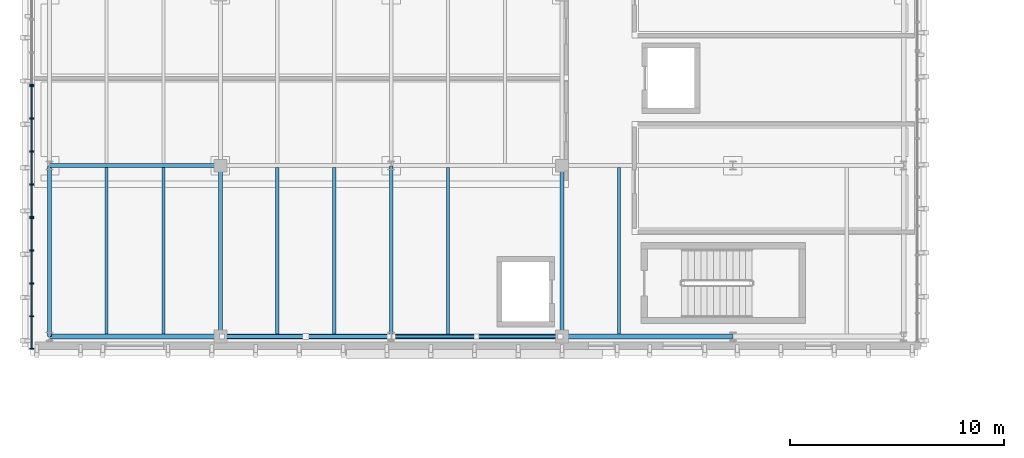
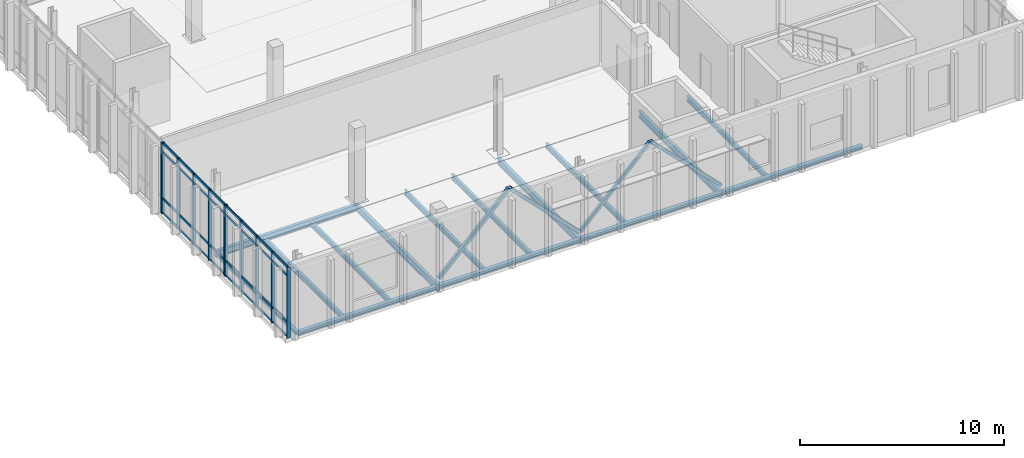
# One storey, part 7 of 62: 47 members, 15 beams, 3 elements without a shape of their own.
"""IFC4 building model written with IfcOpenShell, lengths in metres."""

from ifc_helpers import new_model, si_unit, direction, frame, origin, origin_2d, place, context, subcontext, project, spatial, rectangle, hollow_rectangle, i_section, extrude, material, material_profile, profile_set, type_object, element, aggregate, save


model = new_model("IFC4")

# Units and contexts
model_context = context("Model", 3, precision=1e-05, world=origin(), true_north=direction((0.0, 1.0)))
body_context = subcontext(model_context, "Body", "Model", "MODEL_VIEW")
ifc_project = project(units=[si_unit("LENGTHUNIT", "METRE"), si_unit("AREAUNIT", "SQUARE_METRE"), si_unit("VOLUMEUNIT", "CUBIC_METRE"), si_unit("PLANEANGLEUNIT", "RADIAN"), si_unit("MASSUNIT", "GRAM", prefix="KILO")], contexts=[model_context])

# Site, building, storey
site_placement = place(None, origin())
site = spatial("IfcSite", under=ifc_project, at=site_placement, CompositionType="ELEMENT")
building_placement = place(site_placement, origin())
building = spatial("IfcBuilding", under=site, at=building_placement, Name="Cymarion Research Institute", CompositionType="ELEMENT")
storey_placement = place(building_placement, frame((0.0, 0.0, 18.300048828125)))
storey = spatial("IfcBuildingStorey", under=building, at=storey_placement, Name="L04", CompositionType="ELEMENT", Elevation=18.300048828125)

# Curtain wall, member
ifc_material_1 = material(Name="Anodised aluminium unitised curtain wall with Low-E glazing", Category="aluminium")
curtain_wall_type = type_object("IfcCurtainWallType", Name="UNITISED CURTAIN WALL CW43 6180X4240", PredefinedType="NOTDEFINED", material=ifc_material_1)
curtain_wall_1_placement = place(storey_placement, origin())
curtain_wall_1 = element("IfcCurtainWall", 1, at=curtain_wall_1_placement, inside=storey, type_object=curtain_wall_type, Name="L04 V4 unitised curtain wall CW43 #190", PredefinedType="NOTDEFINED")
ifc_material_2 = material(Name="Anodised aluminium framing", Category="aluminium")
ifc_material_profile_1 = material_profile(ifc_material_2, rectangle(XDim=0.06005859375, YDim=0.179931640625, at=origin_2d()), Name="ALU MULLION 60x180")
ifc_profile_set_1 = profile_set([ifc_material_profile_1], Name="Anodised aluminium framing")
member_type_1 = type_object("IfcMemberType", Name="CURTAIN WALL MULLION ML01 60X180", PredefinedType="MULLION", material=ifc_profile_set_1)
member_1_placement = place(storey_placement, frame((5.77001953125, 59.28125, 0.0), z_axis=(0.0, 0.0, 1.0), x_axis=(0.0, -1.0, 0.0)))
member_1 = element("IfcMember", 2, at=member_1_placement, type_object=member_type_1, Name="CW43 mullion 5", PredefinedType="MULLION", context=body_context, shape_type="SweptSolid", body=[
    extrude(rectangle(XDim=0.06005859375, YDim=0.179931640625, at=origin_2d()), origin(), (0.0, 0.0, 1.0), 4.239990234375),
])
aggregate(curtain_wall_1, [member_1])

# Curtain wall, members
curtain_wall_2_placement = place(storey_placement, origin())
curtain_wall_2 = element("IfcCurtainWall", 3, at=curtain_wall_2_placement, inside=storey, type_object=curtain_wall_type, Name="L04 V4 unitised curtain wall CW43 #191", PredefinedType="NOTDEFINED")
member_2_placement = place(storey_placement, frame((5.77001953125, 59.22119140625, 0.0), z_axis=(0.0, 0.0, 1.0), x_axis=(0.0, -1.0, 0.0)))
member_2 = element("IfcMember", 4, at=member_2_placement, type_object=member_type_1, Name="CW43 mullion 1", PredefinedType="MULLION", context=body_context, shape_type="SweptSolid", body=[
    extrude(rectangle(XDim=0.06005859375, YDim=0.179931640625, at=origin_2d()), origin(), (0.0, 0.0, 1.0), 4.239990234375),
])
member_3_placement = place(storey_placement, frame((5.77001953125, 57.707275390625, 0.0), z_axis=(0.0, 0.0, 1.0), x_axis=(0.0, -1.0, 0.0)))
member_3 = element("IfcMember", 5, at=member_3_placement, type_object=member_type_1, Name="CW43 mullion 2", PredefinedType="MULLION", context=body_context, shape_type="SweptSolid", body=[
    extrude(rectangle(XDim=0.06005859375, YDim=0.179931640625, at=origin_2d()), origin(), (0.0, 0.0, 1.0), 4.239990234375),
])
member_4_placement = place(storey_placement, frame((5.77001953125, 56.163330078125, 0.0), z_axis=(0.0, 0.0, 1.0), x_axis=(0.0, -1.0, 0.0)))
member_4 = element("IfcMember", 6, at=member_4_placement, type_object=member_type_1, Name="CW43 mullion 3", PredefinedType="MULLION", context=body_context, shape_type="SweptSolid", body=[
    extrude(rectangle(XDim=0.06005859375, YDim=0.179931640625, at=origin_2d()), origin(), (0.0, 0.0, 1.0), 4.239990234375),
])
member_5_placement = place(storey_placement, frame((5.77001953125, 54.619384765625, 0.0), z_axis=(0.0, 0.0, 1.0), x_axis=(0.0, -1.0, 0.0)))
member_5 = element("IfcMember", 7, at=member_5_placement, type_object=member_type_1, Name="CW43 mullion 4", PredefinedType="MULLION", context=body_context, shape_type="SweptSolid", body=[
    extrude(rectangle(XDim=0.06005859375, YDim=0.179931640625, at=origin_2d()), origin(), (0.0, 0.0, 1.0), 4.239990234375),
])
member_6_placement = place(storey_placement, frame((5.77001953125, 53.105712890625, 0.0), z_axis=(0.0, 0.0, 1.0), x_axis=(0.0, -1.0, 0.0)))
member_6 = element("IfcMember", 8, at=member_6_placement, type_object=member_type_1, Name="CW43 mullion 5", PredefinedType="MULLION", context=body_context, shape_type="SweptSolid", body=[
    extrude(rectangle(XDim=0.06005859375, YDim=0.179931640625, at=origin_2d()), origin(), (0.0, 0.0, 1.0), 4.239990234375),
])

curtain_wall_3_placement = place(storey_placement, origin())
curtain_wall_3 = element("IfcCurtainWall", 9, at=curtain_wall_3_placement, inside=storey, type_object=curtain_wall_type, Name="L04 V4 unitised curtain wall CW43 #192", PredefinedType="NOTDEFINED")
member_7_placement = place(storey_placement, frame((5.77001953125, 53.045654296875, 0.0), z_axis=(0.0, 0.0, 1.0), x_axis=(0.0, -1.0, 0.0)))
member_7 = element("IfcMember", 10, at=member_7_placement, type_object=member_type_1, Name="CW43 mullion 1", PredefinedType="MULLION", context=body_context, shape_type="SweptSolid", body=[
    extrude(rectangle(XDim=0.06005859375, YDim=0.179931640625, at=origin_2d()), origin(), (0.0, 0.0, 1.0), 4.239990234375),
])
member_8_placement = place(storey_placement, frame((5.77001953125, 51.53173828125, 0.0), z_axis=(0.0, 0.0, 1.0), x_axis=(0.0, -1.0, 0.0)))
member_8 = element("IfcMember", 11, at=member_8_placement, type_object=member_type_1, Name="CW43 mullion 2", PredefinedType="MULLION", context=body_context, shape_type="SweptSolid", body=[
    extrude(rectangle(XDim=0.06005859375, YDim=0.179931640625, at=origin_2d()), origin(), (0.0, 0.0, 1.0), 4.239990234375),
])
member_9_placement = place(storey_placement, frame((5.77001953125, 49.98779296875, 0.0), z_axis=(0.0, 0.0, 1.0), x_axis=(0.0, -1.0, 0.0)))
member_9 = element("IfcMember", 12, at=member_9_placement, type_object=member_type_1, Name="CW43 mullion 3", PredefinedType="MULLION", context=body_context, shape_type="SweptSolid", body=[
    extrude(rectangle(XDim=0.06005859375, YDim=0.179931640625, at=origin_2d()), origin(), (0.0, 0.0, 1.0), 4.239990234375),
])
member_10_placement = place(storey_placement, frame((5.77001953125, 48.44384765625, 0.0), z_axis=(0.0, 0.0, 1.0), x_axis=(0.0, -1.0, 0.0)))
member_10 = element("IfcMember", 13, at=member_10_placement, type_object=member_type_1, Name="CW43 mullion 4", PredefinedType="MULLION", context=body_context, shape_type="SweptSolid", body=[
    extrude(rectangle(XDim=0.06005859375, YDim=0.179931640625, at=origin_2d()), origin(), (0.0, 0.0, 1.0), 4.239990234375),
])
member_11_placement = place(storey_placement, frame((5.77001953125, 46.929931640625, 0.0), z_axis=(0.0, 0.0, 1.0), x_axis=(0.0, -1.0, 0.0)))
member_11 = element("IfcMember", 14, at=member_11_placement, type_object=member_type_1, Name="CW43 mullion 5", PredefinedType="MULLION", context=body_context, shape_type="SweptSolid", body=[
    extrude(rectangle(XDim=0.06005859375, YDim=0.179931640625, at=origin_2d()), origin(), (0.0, 0.0, 1.0), 4.239990234375),
])

# Member
ifc_material_profile_2 = material_profile(ifc_material_2, rectangle(XDim=0.06005859375, YDim=0.14990234375, at=origin_2d()), Name="ALU TRANSOM 60x150")
ifc_profile_set_2 = profile_set([ifc_material_profile_2], Name="Anodised aluminium framing")
member_type_2 = type_object("IfcMemberType", Name="CURTAIN WALL TRANSOM TR01 60X150", PredefinedType="USERDEFINED", material=ifc_profile_set_2)
member_12_placement = place(storey_placement, frame((5.77001953125, 59.191162109375, 0.030029296875), z_axis=(0.0, -1.0, 0.0), x_axis=(1.0, 0.0, 0.0)))
member_12 = element("IfcMember", 15, at=member_12_placement, type_object=member_type_2, Name="CW43 transom 1.1", ObjectType="TRANSOM", PredefinedType="USERDEFINED", context=body_context, shape_type="SweptSolid", body=[
    extrude(rectangle(XDim=0.06005859375, YDim=0.14990234375, at=origin_2d()), origin(), (0.0, 0.0, 1.0), 1.453857421875),
])

member_13_placement = place(storey_placement, frame((5.77001953125, 59.191162109375, 0.89990234375), z_axis=(0.0, -1.0, 0.0), x_axis=(1.0, 0.0, 0.0)))
member_13 = element("IfcMember", 16, at=member_13_placement, type_object=member_type_2, Name="CW43 transom 1.2", ObjectType="TRANSOM", PredefinedType="USERDEFINED", context=body_context, shape_type="SweptSolid", body=[
    extrude(rectangle(XDim=0.06005859375, YDim=0.14990234375, at=origin_2d()), origin(), (0.0, 0.0, 1.0), 1.453857421875),
])

member_14_placement = place(storey_placement, frame((5.77001953125, 59.191162109375, 3.68994140625), z_axis=(0.0, -1.0, 0.0), x_axis=(1.0, 0.0, 0.0)))
member_14 = element("IfcMember", 17, at=member_14_placement, type_object=member_type_2, Name="CW43 transom 1.3", ObjectType="TRANSOM", PredefinedType="USERDEFINED", context=body_context, shape_type="SweptSolid", body=[
    extrude(rectangle(XDim=0.06005859375, YDim=0.14990234375, at=origin_2d()), origin(), (0.0, 0.0, 1.0), 1.453857421875),
])

member_15_placement = place(storey_placement, frame((5.77001953125, 59.191162109375, 4.2099609375), z_axis=(0.0, -1.0, 0.0), x_axis=(1.0, 0.0, 0.0)))
member_15 = element("IfcMember", 18, at=member_15_placement, type_object=member_type_2, Name="CW43 transom 1.4", ObjectType="TRANSOM", PredefinedType="USERDEFINED", context=body_context, shape_type="SweptSolid", body=[
    extrude(rectangle(XDim=0.06005859375, YDim=0.14990234375, at=origin_2d()), origin(), (0.0, 0.0, 1.0), 1.453857421875),
])

member_16_placement = place(storey_placement, frame((5.77001953125, 57.67724609375, 0.030029296875), z_axis=(0.0, -1.0, 0.0), x_axis=(1.0, 0.0, 0.0)))
member_16 = element("IfcMember", 19, at=member_16_placement, type_object=member_type_2, Name="CW43 transom 2.1", ObjectType="TRANSOM", PredefinedType="USERDEFINED", context=body_context, shape_type="SweptSolid", body=[
    extrude(rectangle(XDim=0.06005859375, YDim=0.14990234375, at=origin_2d()), origin(), (0.0, 0.0, 1.0), 1.48388671875),
])

member_17_placement = place(storey_placement, frame((5.77001953125, 57.67724609375, 0.89990234375), z_axis=(0.0, -1.0, 0.0), x_axis=(1.0, 0.0, 0.0)))
member_17 = element("IfcMember", 20, at=member_17_placement, type_object=member_type_2, Name="CW43 transom 2.2", ObjectType="TRANSOM", PredefinedType="USERDEFINED", context=body_context, shape_type="SweptSolid", body=[
    extrude(rectangle(XDim=0.06005859375, YDim=0.14990234375, at=origin_2d()), origin(), (0.0, 0.0, 1.0), 1.48388671875),
])

member_18_placement = place(storey_placement, frame((5.77001953125, 57.67724609375, 3.68994140625), z_axis=(0.0, -1.0, 0.0), x_axis=(1.0, 0.0, 0.0)))
member_18 = element("IfcMember", 21, at=member_18_placement, type_object=member_type_2, Name="CW43 transom 2.3", ObjectType="TRANSOM", PredefinedType="USERDEFINED", context=body_context, shape_type="SweptSolid", body=[
    extrude(rectangle(XDim=0.06005859375, YDim=0.14990234375, at=origin_2d()), origin(), (0.0, 0.0, 1.0), 1.48388671875),
])

member_19_placement = place(storey_placement, frame((5.77001953125, 57.67724609375, 4.2099609375), z_axis=(0.0, -1.0, 0.0), x_axis=(1.0, 0.0, 0.0)))
member_19 = element("IfcMember", 22, at=member_19_placement, type_object=member_type_2, Name="CW43 transom 2.4", ObjectType="TRANSOM", PredefinedType="USERDEFINED", context=body_context, shape_type="SweptSolid", body=[
    extrude(rectangle(XDim=0.06005859375, YDim=0.14990234375, at=origin_2d()), origin(), (0.0, 0.0, 1.0), 1.48388671875),
])

member_20_placement = place(storey_placement, frame((5.77001953125, 56.13330078125, 0.030029296875), z_axis=(0.0, -1.0, 0.0), x_axis=(1.0, 0.0, 0.0)))
member_20 = element("IfcMember", 23, at=member_20_placement, type_object=member_type_2, Name="CW43 transom 3.1", ObjectType="TRANSOM", PredefinedType="USERDEFINED", context=body_context, shape_type="SweptSolid", body=[
    extrude(rectangle(XDim=0.06005859375, YDim=0.14990234375, at=origin_2d()), origin(), (0.0, 0.0, 1.0), 1.48388671875),
])

member_21_placement = place(storey_placement, frame((5.77001953125, 56.13330078125, 0.89990234375), z_axis=(0.0, -1.0, 0.0), x_axis=(1.0, 0.0, 0.0)))
member_21 = element("IfcMember", 24, at=member_21_placement, type_object=member_type_2, Name="CW43 transom 3.2", ObjectType="TRANSOM", PredefinedType="USERDEFINED", context=body_context, shape_type="SweptSolid", body=[
    extrude(rectangle(XDim=0.06005859375, YDim=0.14990234375, at=origin_2d()), origin(), (0.0, 0.0, 1.0), 1.48388671875),
])

member_22_placement = place(storey_placement, frame((5.77001953125, 56.13330078125, 3.68994140625), z_axis=(0.0, -1.0, 0.0), x_axis=(1.0, 0.0, 0.0)))
member_22 = element("IfcMember", 25, at=member_22_placement, type_object=member_type_2, Name="CW43 transom 3.3", ObjectType="TRANSOM", PredefinedType="USERDEFINED", context=body_context, shape_type="SweptSolid", body=[
    extrude(rectangle(XDim=0.06005859375, YDim=0.14990234375, at=origin_2d()), origin(), (0.0, 0.0, 1.0), 1.48388671875),
])

member_23_placement = place(storey_placement, frame((5.77001953125, 56.13330078125, 4.2099609375), z_axis=(0.0, -1.0, 0.0), x_axis=(1.0, 0.0, 0.0)))
member_23 = element("IfcMember", 26, at=member_23_placement, type_object=member_type_2, Name="CW43 transom 3.4", ObjectType="TRANSOM", PredefinedType="USERDEFINED", context=body_context, shape_type="SweptSolid", body=[
    extrude(rectangle(XDim=0.06005859375, YDim=0.14990234375, at=origin_2d()), origin(), (0.0, 0.0, 1.0), 1.48388671875),
])

member_24_placement = place(storey_placement, frame((5.77001953125, 54.589599609375, 0.030029296875), z_axis=(0.0, -1.0, 0.0), x_axis=(1.0, 0.0, 0.0)))
member_24 = element("IfcMember", 27, at=member_24_placement, type_object=member_type_2, Name="CW43 transom 4.1", ObjectType="TRANSOM", PredefinedType="USERDEFINED", context=body_context, shape_type="SweptSolid", body=[
    extrude(rectangle(XDim=0.06005859375, YDim=0.14990234375, at=origin_2d()), origin(), (0.0, 0.0, 1.0), 1.4541015625),
])

member_25_placement = place(storey_placement, frame((5.77001953125, 54.589599609375, 0.89990234375), z_axis=(0.0, -1.0, 0.0), x_axis=(1.0, 0.0, 0.0)))
member_25 = element("IfcMember", 28, at=member_25_placement, type_object=member_type_2, Name="CW43 transom 4.2", ObjectType="TRANSOM", PredefinedType="USERDEFINED", context=body_context, shape_type="SweptSolid", body=[
    extrude(rectangle(XDim=0.06005859375, YDim=0.14990234375, at=origin_2d()), origin(), (0.0, 0.0, 1.0), 1.4541015625),
])

member_26_placement = place(storey_placement, frame((5.77001953125, 54.589599609375, 3.68994140625), z_axis=(0.0, -1.0, 0.0), x_axis=(1.0, 0.0, 0.0)))
member_26 = element("IfcMember", 29, at=member_26_placement, type_object=member_type_2, Name="CW43 transom 4.3", ObjectType="TRANSOM", PredefinedType="USERDEFINED", context=body_context, shape_type="SweptSolid", body=[
    extrude(rectangle(XDim=0.06005859375, YDim=0.14990234375, at=origin_2d()), origin(), (0.0, 0.0, 1.0), 1.4541015625),
])

member_27_placement = place(storey_placement, frame((5.77001953125, 54.589599609375, 4.2099609375), z_axis=(0.0, -1.0, 0.0), x_axis=(1.0, 0.0, 0.0)))
member_27 = element("IfcMember", 30, at=member_27_placement, type_object=member_type_2, Name="CW43 transom 4.4", ObjectType="TRANSOM", PredefinedType="USERDEFINED", context=body_context, shape_type="SweptSolid", body=[
    extrude(rectangle(XDim=0.06005859375, YDim=0.14990234375, at=origin_2d()), origin(), (0.0, 0.0, 1.0), 1.4541015625),
])

aggregate(curtain_wall_2, [member_2, member_3, member_4, member_5, member_6, member_12, member_13, member_14, member_15, member_16, member_17, member_18, member_19, member_20, member_21, member_22, member_23, member_24, member_25, member_26, member_27])

member_28_placement = place(storey_placement, frame((5.77001953125, 53.015625, 0.030029296875), z_axis=(0.0, -1.0, 0.0), x_axis=(1.0, 0.0, 0.0)))
member_28 = element("IfcMember", 31, at=member_28_placement, type_object=member_type_2, Name="CW43 transom 1.1", ObjectType="TRANSOM", PredefinedType="USERDEFINED", context=body_context, shape_type="SweptSolid", body=[
    extrude(rectangle(XDim=0.06005859375, YDim=0.14990234375, at=origin_2d()), origin(), (0.0, 0.0, 1.0), 1.453857421875),
])

member_29_placement = place(storey_placement, frame((5.77001953125, 53.015625, 0.89990234375), z_axis=(0.0, -1.0, 0.0), x_axis=(1.0, 0.0, 0.0)))
member_29 = element("IfcMember", 32, at=member_29_placement, type_object=member_type_2, Name="CW43 transom 1.2", ObjectType="TRANSOM", PredefinedType="USERDEFINED", context=body_context, shape_type="SweptSolid", body=[
    extrude(rectangle(XDim=0.06005859375, YDim=0.14990234375, at=origin_2d()), origin(), (0.0, 0.0, 1.0), 1.453857421875),
])

member_30_placement = place(storey_placement, frame((5.77001953125, 53.015625, 3.68994140625), z_axis=(0.0, -1.0, 0.0), x_axis=(1.0, 0.0, 0.0)))
member_30 = element("IfcMember", 33, at=member_30_placement, type_object=member_type_2, Name="CW43 transom 1.3", ObjectType="TRANSOM", PredefinedType="USERDEFINED", context=body_context, shape_type="SweptSolid", body=[
    extrude(rectangle(XDim=0.06005859375, YDim=0.14990234375, at=origin_2d()), origin(), (0.0, 0.0, 1.0), 1.453857421875),
])

member_31_placement = place(storey_placement, frame((5.77001953125, 53.015625, 4.2099609375), z_axis=(0.0, -1.0, 0.0), x_axis=(1.0, 0.0, 0.0)))
member_31 = element("IfcMember", 34, at=member_31_placement, type_object=member_type_2, Name="CW43 transom 1.4", ObjectType="TRANSOM", PredefinedType="USERDEFINED", context=body_context, shape_type="SweptSolid", body=[
    extrude(rectangle(XDim=0.06005859375, YDim=0.14990234375, at=origin_2d()), origin(), (0.0, 0.0, 1.0), 1.453857421875),
])

member_32_placement = place(storey_placement, frame((5.77001953125, 51.501708984375, 0.030029296875), z_axis=(0.0, -1.0, 0.0), x_axis=(1.0, 0.0, 0.0)))
member_32 = element("IfcMember", 35, at=member_32_placement, type_object=member_type_2, Name="CW43 transom 2.1", ObjectType="TRANSOM", PredefinedType="USERDEFINED", context=body_context, shape_type="SweptSolid", body=[
    extrude(rectangle(XDim=0.06005859375, YDim=0.14990234375, at=origin_2d()), origin(), (0.0, 0.0, 1.0), 1.48388671875),
])

member_33_placement = place(storey_placement, frame((5.77001953125, 51.501708984375, 0.89990234375), z_axis=(0.0, -1.0, 0.0), x_axis=(1.0, 0.0, 0.0)))
member_33 = element("IfcMember", 36, at=member_33_placement, type_object=member_type_2, Name="CW43 transom 2.2", ObjectType="TRANSOM", PredefinedType="USERDEFINED", context=body_context, shape_type="SweptSolid", body=[
    extrude(rectangle(XDim=0.06005859375, YDim=0.14990234375, at=origin_2d()), origin(), (0.0, 0.0, 1.0), 1.48388671875),
])

member_34_placement = place(storey_placement, frame((5.77001953125, 51.501708984375, 3.68994140625), z_axis=(0.0, -1.0, 0.0), x_axis=(1.0, 0.0, 0.0)))
member_34 = element("IfcMember", 37, at=member_34_placement, type_object=member_type_2, Name="CW43 transom 2.3", ObjectType="TRANSOM", PredefinedType="USERDEFINED", context=body_context, shape_type="SweptSolid", body=[
    extrude(rectangle(XDim=0.06005859375, YDim=0.14990234375, at=origin_2d()), origin(), (0.0, 0.0, 1.0), 1.48388671875),
])

member_35_placement = place(storey_placement, frame((5.77001953125, 51.501708984375, 4.2099609375), z_axis=(0.0, -1.0, 0.0), x_axis=(1.0, 0.0, 0.0)))
member_35 = element("IfcMember", 38, at=member_35_placement, type_object=member_type_2, Name="CW43 transom 2.4", ObjectType="TRANSOM", PredefinedType="USERDEFINED", context=body_context, shape_type="SweptSolid", body=[
    extrude(rectangle(XDim=0.06005859375, YDim=0.14990234375, at=origin_2d()), origin(), (0.0, 0.0, 1.0), 1.48388671875),
])

member_36_placement = place(storey_placement, frame((5.77001953125, 49.957763671875, 0.030029296875), z_axis=(0.0, -1.0, 0.0), x_axis=(1.0, 0.0, 0.0)))
member_36 = element("IfcMember", 39, at=member_36_placement, type_object=member_type_2, Name="CW43 transom 3.1", ObjectType="TRANSOM", PredefinedType="USERDEFINED", context=body_context, shape_type="SweptSolid", body=[
    extrude(rectangle(XDim=0.06005859375, YDim=0.14990234375, at=origin_2d()), origin(), (0.0, 0.0, 1.0), 1.48388671875),
])

member_37_placement = place(storey_placement, frame((5.77001953125, 49.957763671875, 0.89990234375), z_axis=(0.0, -1.0, 0.0), x_axis=(1.0, 0.0, 0.0)))
member_37 = element("IfcMember", 40, at=member_37_placement, type_object=member_type_2, Name="CW43 transom 3.2", ObjectType="TRANSOM", PredefinedType="USERDEFINED", context=body_context, shape_type="SweptSolid", body=[
    extrude(rectangle(XDim=0.06005859375, YDim=0.14990234375, at=origin_2d()), origin(), (0.0, 0.0, 1.0), 1.48388671875),
])

member_38_placement = place(storey_placement, frame((5.77001953125, 49.957763671875, 3.68994140625), z_axis=(0.0, -1.0, 0.0), x_axis=(1.0, 0.0, 0.0)))
member_38 = element("IfcMember", 41, at=member_38_placement, type_object=member_type_2, Name="CW43 transom 3.3", ObjectType="TRANSOM", PredefinedType="USERDEFINED", context=body_context, shape_type="SweptSolid", body=[
    extrude(rectangle(XDim=0.06005859375, YDim=0.14990234375, at=origin_2d()), origin(), (0.0, 0.0, 1.0), 1.48388671875),
])

member_39_placement = place(storey_placement, frame((5.77001953125, 49.957763671875, 4.2099609375), z_axis=(0.0, -1.0, 0.0), x_axis=(1.0, 0.0, 0.0)))
member_39 = element("IfcMember", 42, at=member_39_placement, type_object=member_type_2, Name="CW43 transom 3.4", ObjectType="TRANSOM", PredefinedType="USERDEFINED", context=body_context, shape_type="SweptSolid", body=[
    extrude(rectangle(XDim=0.06005859375, YDim=0.14990234375, at=origin_2d()), origin(), (0.0, 0.0, 1.0), 1.48388671875),
])

member_40_placement = place(storey_placement, frame((5.77001953125, 48.413818359375, 0.030029296875), z_axis=(0.0, -1.0, 0.0), x_axis=(1.0, 0.0, 0.0)))
member_40 = element("IfcMember", 43, at=member_40_placement, type_object=member_type_2, Name="CW43 transom 4.1", ObjectType="TRANSOM", PredefinedType="USERDEFINED", context=body_context, shape_type="SweptSolid", body=[
    extrude(rectangle(XDim=0.06005859375, YDim=0.14990234375, at=origin_2d()), origin(), (0.0, 0.0, 1.0), 1.453857421875),
])

member_41_placement = place(storey_placement, frame((5.77001953125, 48.413818359375, 0.89990234375), z_axis=(0.0, -1.0, 0.0), x_axis=(1.0, 0.0, 0.0)))
member_41 = element("IfcMember", 44, at=member_41_placement, type_object=member_type_2, Name="CW43 transom 4.2", ObjectType="TRANSOM", PredefinedType="USERDEFINED", context=body_context, shape_type="SweptSolid", body=[
    extrude(rectangle(XDim=0.06005859375, YDim=0.14990234375, at=origin_2d()), origin(), (0.0, 0.0, 1.0), 1.453857421875),
])

member_42_placement = place(storey_placement, frame((5.77001953125, 48.413818359375, 3.68994140625), z_axis=(0.0, -1.0, 0.0), x_axis=(1.0, 0.0, 0.0)))
member_42 = element("IfcMember", 45, at=member_42_placement, type_object=member_type_2, Name="CW43 transom 4.3", ObjectType="TRANSOM", PredefinedType="USERDEFINED", context=body_context, shape_type="SweptSolid", body=[
    extrude(rectangle(XDim=0.06005859375, YDim=0.14990234375, at=origin_2d()), origin(), (0.0, 0.0, 1.0), 1.453857421875),
])

member_43_placement = place(storey_placement, frame((5.77001953125, 48.413818359375, 4.2099609375), z_axis=(0.0, -1.0, 0.0), x_axis=(1.0, 0.0, 0.0)))
member_43 = element("IfcMember", 46, at=member_43_placement, type_object=member_type_2, Name="CW43 transom 4.4", ObjectType="TRANSOM", PredefinedType="USERDEFINED", context=body_context, shape_type="SweptSolid", body=[
    extrude(rectangle(XDim=0.06005859375, YDim=0.14990234375, at=origin_2d()), origin(), (0.0, 0.0, 1.0), 1.453857421875),
])

aggregate(curtain_wall_3, [member_7, member_8, member_9, member_10, member_11, member_28, member_29, member_30, member_31, member_32, member_33, member_34, member_35, member_36, member_37, member_38, member_39, member_40, member_41, member_42, member_43])

# Beams
ifc_material_3 = material(Name="Steel S355", Category="steel")
ifc_material_profile_3 = material_profile(ifc_material_3, i_section(OverallWidth=0.179931640625, OverallDepth=0.39990234375, WebThickness=0.008544921875, FlangeThickness=0.013427734375, FilletRadius=0.02099609375, at=origin_2d()), Name="IPE 400")
ifc_profile_set_3 = profile_set([ifc_material_profile_3], Name="Steel S355")
beam_type_1 = type_object("IfcBeamType", Name="PRIMARY GIRDER BM05 IPE 400", PredefinedType="BEAM", material=ifc_profile_set_3)
beam_1_placement = place(storey_placement, frame((6.60595703125, 55.5, -0.449951171875), z_axis=(1.0, 0.0, 0.0), x_axis=(0.0, 1.0, 0.0)))
element("IfcBeam", 47, at=beam_1_placement, inside=storey, type_object=beam_type_1, Name="L04 V4 girder BM05 #1707", PredefinedType="BEAM", context=body_context, shape_type="SweptSolid", body=[
    extrude(i_section(OverallWidth=0.179931640625, OverallDepth=0.39990234375, WebThickness=0.008544921875, FlangeThickness=0.013427734375, FilletRadius=0.02099609375, at=origin_2d()), origin(), (0.0, 0.0, 1.0), 7.988037109375),
])
for number, where, z_axis, x_axis, name in (
    (48, (14.60009765625, 47.506103515625, -0.449951171875), (0.0, 1.0, 0.0), (-1.0, 0.0, 0.0), "L04 V4 girder BM05 #1731"),
    (49, (22.60009765625, 47.506103515625, -0.449951171875), (0.0, 1.0, 0.0), (-1.0, 0.0, 0.0), "L04 V4 girder BM05 #1735"),
    (50, (30.60009765625, 47.506103515625, -0.449951171875), (0.0, 1.0, 0.0), (-1.0, 0.0, 0.0), "L04 V4 girder BM05 #1739"),
):
    element("IfcBeam", number, at=place(storey_placement, frame(where, z_axis=z_axis, x_axis=x_axis)), inside=storey, type_object=beam_type_1, Name=name, PredefinedType="BEAM", context=body_context, shape_type="SweptSolid", body=[
        extrude(i_section(OverallWidth=0.179931640625, OverallDepth=0.39990234375, WebThickness=0.008544921875, FlangeThickness=0.013427734375, FilletRadius=0.02099609375, at=origin_2d()), origin(), (0.0, 0.0, 1.0), 7.98779296875),
    ])
ifc_material_profile_4 = material_profile(ifc_material_3, i_section(OverallWidth=0.14990234375, OverallDepth=0.300048828125, WebThickness=0.007080078125, FlangeThickness=0.0107421875, FilletRadius=0.014892578125, at=origin_2d()), Name="IPE 300")
ifc_profile_set_4 = profile_set([ifc_material_profile_4], Name="Steel S355")
beam_type_2 = type_object("IfcBeamType", Name="SECONDARY JOIST JS02 IPE 300", PredefinedType="JOIST", material=ifc_profile_set_4)
for number, where, z_axis, x_axis, name in (
    (51, (9.2666015625, 47.6240234375, -0.400146484375), (0.0, 1.0, 0.0), (-1.0, 0.0, 0.0), "L04 V4 secondary joist JS02 #1749"),
    (52, (11.933349609375, 47.6240234375, -0.400146484375), (0.0, 1.0, 0.0), (-1.0, 0.0, 0.0), "L04 V4 secondary joist JS02 #1750"),
    (53, (17.2666015625, 47.6240234375, -0.400146484375), (0.0, 1.0, 0.0), (-1.0, 0.0, 0.0), "L04 V4 secondary joist JS02 #1751"),
    (54, (19.933349609375, 47.6240234375, -0.400146484375), (0.0, 1.0, 0.0), (-1.0, 0.0, 0.0), "L04 V4 secondary joist JS02 #1752"),
    (55, (25.2666015625, 47.6240234375, -0.400146484375), (0.0, 1.0, 0.0), (-1.0, 0.0, 0.0), "L04 V4 secondary joist JS02 #1753"),
    (56, (33.2666015625, 47.6240234375, -0.400146484375), (0.0, 1.0, 0.0), (-1.0, 0.0, 0.0), "L04 V4 secondary joist JS02 #1754"),
):
    element("IfcBeam", number, at=place(storey_placement, frame(where, z_axis=z_axis, x_axis=x_axis)), inside=storey, type_object=beam_type_2, Name=name, PredefinedType="JOIST", context=body_context, shape_type="SweptSolid", body=[
        extrude(i_section(OverallWidth=0.14990234375, OverallDepth=0.300048828125, WebThickness=0.007080078125, FlangeThickness=0.0107421875, FilletRadius=0.014892578125, at=origin_2d()), origin(), (0.0, 0.0, 1.0), 7.781982421875),
    ])
ifc_material_profile_5 = material_profile(ifc_material_3, i_section(OverallWidth=0.239990234375, OverallDepth=0.22998046875, WebThickness=0.007568359375, FlangeThickness=0.011962890625, FilletRadius=0.02099609375, at=origin_2d()), Name="HEA 240")
ifc_profile_set_5 = profile_set([ifc_material_profile_5], Name="Steel S355")
beam_type_3 = type_object("IfcBeamType", Name="SPANDREL BEAM SPB03 HEA 240", PredefinedType="SPANDREL", material=ifc_profile_set_5)
for number, where, z_axis, x_axis, name in (
    (57, (6.60595703125, 47.5, -0.364990234375), (1.0, 0.0, 0.0), (0.0, 1.0, 0.0), "L04 V4 girder SPB03 #1702"),
    (58, (14.60595703125, 47.5, -0.364990234375), (1.0, 0.0, 0.0), (0.0, 1.0, 0.0), "L04 V4 girder SPB03 #1703"),
    (59, (22.60595703125, 47.5, -0.364990234375), (1.0, 0.0, 0.0), (0.0, 1.0, 0.0), "L04 V4 girder SPB03 #1704"),
    (60, (30.60595703125, 47.5, -0.364990234375), (1.0, 0.0, 0.0), (0.0, 1.0, 0.0), "L04 V4 girder SPB03 #1705"),
):
    element("IfcBeam", number, at=place(storey_placement, frame(where, z_axis=z_axis, x_axis=x_axis)), inside=storey, type_object=beam_type_3, Name=name, PredefinedType="SPANDREL", context=body_context, shape_type="SweptSolid", body=[
        extrude(i_section(OverallWidth=0.239990234375, OverallDepth=0.22998046875, WebThickness=0.007568359375, FlangeThickness=0.011962890625, FilletRadius=0.02099609375, at=origin_2d()), origin(), (0.0, 0.0, 1.0), 7.988037109375),
    ])
ifc_material_profile_6 = material_profile(ifc_material_3, i_section(OverallWidth=0.199951171875, OverallDepth=0.18994140625, WebThickness=0.006591796875, FlangeThickness=0.010009765625, FilletRadius=0.01806640625, at=origin_2d()), Name="HEA 200")
ifc_profile_set_6 = profile_set([ifc_material_profile_6], Name="Steel S355")
beam_type_4 = type_object("IfcBeamType", Name="SPANDREL BEAM SPB04 HEA 200", PredefinedType="SPANDREL", material=ifc_profile_set_6)
beam_2_placement = place(storey_placement, frame((6.60009765625, 47.506103515625, -0.344970703125), z_axis=(0.0, 1.0, 0.0), x_axis=(-1.0, 0.0, 0.0)))
element("IfcBeam", 61, at=beam_2_placement, inside=storey, type_object=beam_type_4, Name="L04 V4 girder SPB04 #1727", PredefinedType="SPANDREL", context=body_context, shape_type="SweptSolid", body=[
    extrude(i_section(OverallWidth=0.199951171875, OverallDepth=0.18994140625, WebThickness=0.006591796875, FlangeThickness=0.010009765625, FilletRadius=0.01806640625, at=origin_2d()), origin(), (0.0, 0.0, 1.0), 7.98779296875),
])

# Members
ifc_material_profile_7 = material_profile(ifc_material_3, hollow_rectangle(XDim=0.199951171875, YDim=0.199951171875, WallThickness=0.010009765625, InnerFilletRadius=0.014892578125, OuterFilletRadius=0.02490234375, at=origin_2d()), Name="SHS 200x200x10")
ifc_profile_set_7 = profile_set([ifc_material_profile_7], Name="Steel S355")
member_type_3 = type_object("IfcMemberType", Name="STRUCTURAL MEMBER BR07 SHS 200x200x10", PredefinedType="BRACE", material=ifc_profile_set_7)
member_44_placement = place(storey_placement, frame((14.614013671875, 47.5, 0.119873046875), z_axis=(0.703471787466, 0.0, 0.710723183975), x_axis=(0.0, 1.0, 0.0)))
element("IfcMember", 62, at=member_44_placement, inside=storey, type_object=member_type_3, Name="L04 V4 seismic chevron brace BR07 #1", PredefinedType="BRACE", context=body_context, shape_type="SweptSolid", body=[
    extrude(hollow_rectangle(XDim=0.199951171875, YDim=0.199951171875, WallThickness=0.010009765625, InnerFilletRadius=0.014892578125, OuterFilletRadius=0.02490234375, at=origin_2d()), origin(), (0.0, 0.0, 1.0), 5.65625),
])
member_45_placement = place(storey_placement, frame((22.5859375, 47.5, 0.119873046875), z_axis=(-0.70344998362, 0.0, 0.710744764698), x_axis=(0.0, -1.0, 0.0)))
element("IfcMember", 63, at=member_45_placement, inside=storey, type_object=member_type_3, Name="L04 V4 seismic chevron brace BR07 #2", PredefinedType="BRACE", context=body_context, shape_type="SweptSolid", body=[
    extrude(hollow_rectangle(XDim=0.199951171875, YDim=0.199951171875, WallThickness=0.010009765625, InnerFilletRadius=0.014892578125, OuterFilletRadius=0.02490234375, at=origin_2d()), origin(), (0.0, 0.0, 1.0), 5.656005859375),
])
ifc_material_profile_8 = material_profile(ifc_material_3, hollow_rectangle(XDim=0.179931640625, YDim=0.179931640625, WallThickness=0.010009765625, InnerFilletRadius=0.014892578125, OuterFilletRadius=0.02490234375, at=origin_2d()), Name="SHS 180x180x10")
ifc_profile_set_8 = profile_set([ifc_material_profile_8], Name="Steel S355")
member_type_4 = type_object("IfcMemberType", Name="STRUCTURAL MEMBER BR08 SHS 180x180x10", PredefinedType="BRACE", material=ifc_profile_set_8)
member_46_placement = place(storey_placement, frame((22.614013671875, 47.5, 0.119873046875), z_axis=(0.703471787466, 0.0, 0.710723183975), x_axis=(0.0, 1.0, 0.0)))
element("IfcMember", 64, at=member_46_placement, inside=storey, type_object=member_type_4, Name="L04 V4 seismic chevron brace BR08 #1", PredefinedType="BRACE", context=body_context, shape_type="SweptSolid", body=[
    extrude(hollow_rectangle(XDim=0.179931640625, YDim=0.179931640625, WallThickness=0.010009765625, InnerFilletRadius=0.014892578125, OuterFilletRadius=0.02490234375, at=origin_2d()), origin(), (0.0, 0.0, 1.0), 5.65625),
])
member_47_placement = place(storey_placement, frame((30.5859375, 47.5, 0.119873046875), z_axis=(-0.70344998362, 0.0, 0.710744764698), x_axis=(0.0, -1.0, 0.0)))
element("IfcMember", 65, at=member_47_placement, inside=storey, type_object=member_type_4, Name="L04 V4 seismic chevron brace BR08 #2", PredefinedType="BRACE", context=body_context, shape_type="SweptSolid", body=[
    extrude(hollow_rectangle(XDim=0.179931640625, YDim=0.179931640625, WallThickness=0.010009765625, InnerFilletRadius=0.014892578125, OuterFilletRadius=0.02490234375, at=origin_2d()), origin(), (0.0, 0.0, 1.0), 5.656005859375),
])

save(model, "model.ifc")
